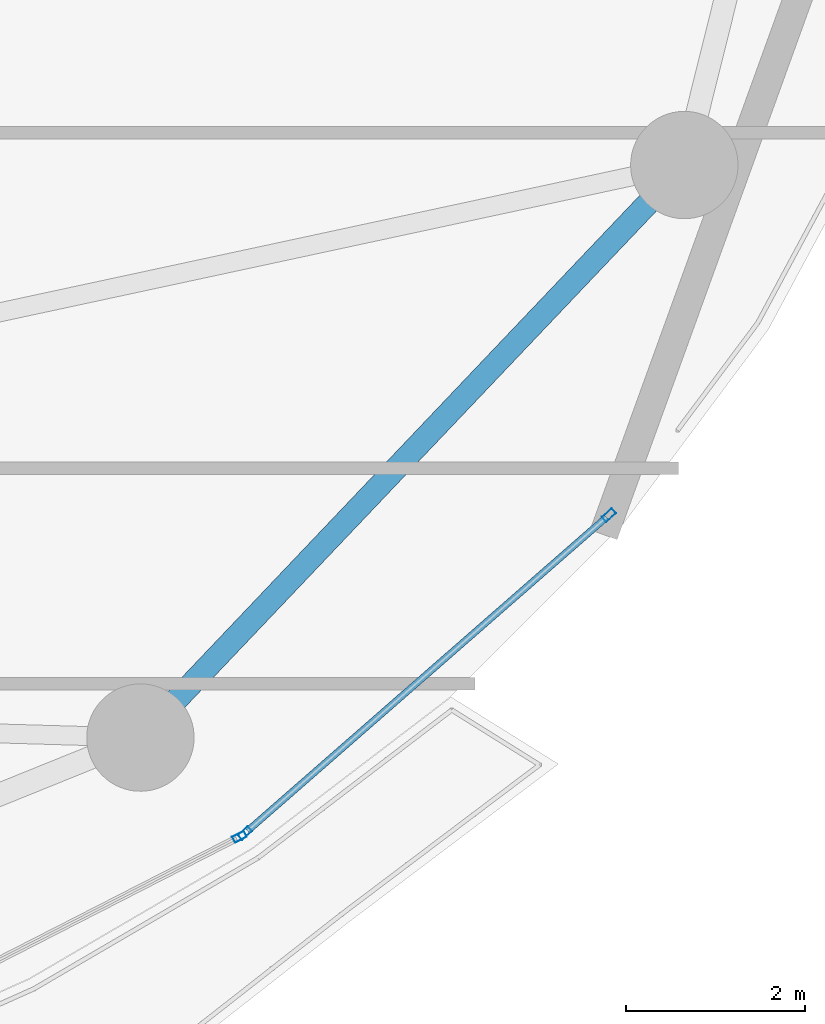
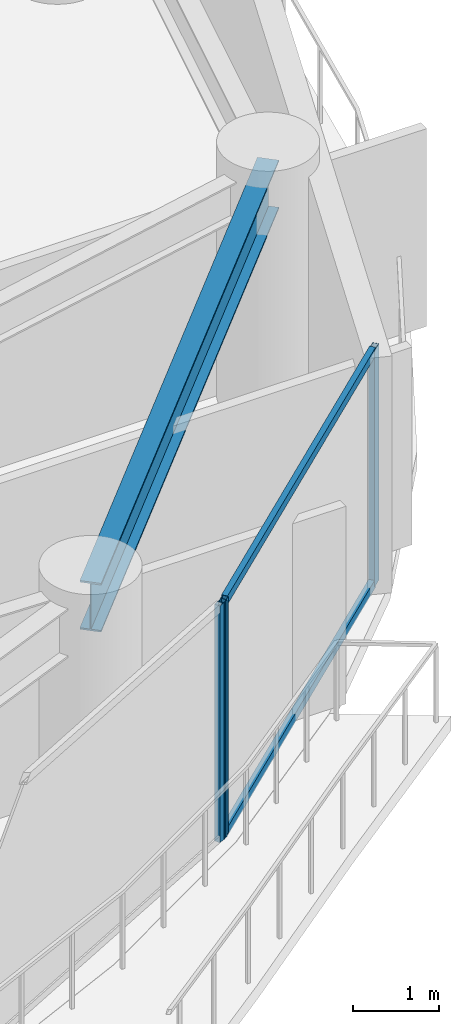
# One storey, part 13 of 28: 5 members, 1 beam, 2 elements without a shape of their own.
"""IFC4 building model written with IfcOpenShell, lengths in metres."""

import ifcopenshell
import ifcopenshell.guid

model = None  # the IFC model being written
_history = None  # IfcOwnerHistory: only IFC2X3 demands one
_inside = {}  # id of a spatial element -> (the spatial element, [elements in it])
_under = {}  # id of a project, library or spatial element -> (it, [spatial elements below it])
_declared = {}  # id of a project -> (the project, [libraries it declares])
_typed = {}  # id of a type object -> (the type object, [elements of that type])
_made_of = {}  # id of a material, layer set ... -> (it, [elements and type objects made of it])


def new_model(schema):
    """Start an empty IFC model of exactly this schema.

    Asked for "IFC4X3", IfcOpenShell would pick the latest addendum, in which some entities
    have other attributes; the version numbers below select the first issue.
    IFC2X3 requires an IfcOwnerHistory on every rooted entity: one is made here for all.
    """
    global model, _history
    if schema == "IFC4X3":
        model = ifcopenshell.file(schema_version=(4, 3, 0, 0))
    else:
        model = ifcopenshell.file(schema=schema)
    _inside.clear()
    _under.clear()
    _declared.clear()
    _typed.clear()
    _made_of.clear()
    _history = None
    if model.schema == "IFC2X3":
        org = make("IfcOrganization", Name="unknown")
        user = make(
            "IfcPersonAndOrganization",
            ThePerson=make("IfcPerson", FamilyName="unknown"),
            TheOrganization=org,
        )
        app = make(
            "IfcApplication",
            ApplicationDeveloper=org,
            Version="unknown",
            ApplicationFullName="unknown",
            ApplicationIdentifier="unknown",
        )
        _history = make(
            "IfcOwnerHistory",
            OwningUser=user,
            OwningApplication=app,
            ChangeAction="ADDED",
            CreationDate=0,
        )
    return model


def make(cls, **values):
    """One entity of the class cls with the attributes given. An attribute that is None is left unset."""
    return model.create_entity(
        cls, **{name: value for name, value in values.items() if value is not None}
    )


def rooted(cls, **values):
    """An entity with a GlobalId (a new one), such as an element, a storey or a relation."""
    return make(cls, GlobalId=ifcopenshell.guid.new(), OwnerHistory=_history, **values)


def si_unit(unit_type, name, prefix=None):
    """IfcSIUnit, for example si_unit("LENGTHUNIT", "METRE", prefix="MILLI")."""
    return make("IfcSIUnit", UnitType=unit_type, Prefix=prefix, Name=name)


def assignment(units):
    """IfcUnitAssignment: the units of a project."""
    return None if units is None else make("IfcUnitAssignment", Units=units)


def point(xyz):
    """IfcCartesianPoint."""
    return None if xyz is None else make("IfcCartesianPoint", Coordinates=xyz)


def direction(xyz):
    """IfcDirection."""
    return None if xyz is None else make("IfcDirection", DirectionRatios=xyz)


def frame(location, z_axis=None, x_axis=None):
    """IfcAxis2Placement3D, a coordinate frame: its origin and axes. An axis left out is left unset."""
    return make(
        "IfcAxis2Placement3D",
        Location=point(location),
        Axis=direction(z_axis),
        RefDirection=direction(x_axis),
    )


def frame_2d(location, x_axis=None):
    """IfcAxis2Placement2D, a coordinate frame in the plane: its origin and x axis."""
    return make(
        "IfcAxis2Placement2D", Location=point(location), RefDirection=direction(x_axis)
    )


def origin():
    """The frame at (0, 0, 0) with its axes left unset."""
    return frame((0.0, 0.0, 0.0))


def origin_2d():
    """The frame at (0, 0) in the plane with its x axis left unset."""
    return frame_2d((0.0, 0.0))


def place(relative_to, where):
    """IfcLocalPlacement: puts the frame where relative to a parent placement (None: the world)."""
    return make(
        "IfcLocalPlacement", PlacementRelTo=relative_to, RelativePlacement=where
    )


def context(
    kind, dimensions, precision=None, world=None, true_north=None, identifier=None
):
    """IfcGeometricRepresentationContext, for example the 3D "Model" context."""
    return make(
        "IfcGeometricRepresentationContext",
        ContextIdentifier=identifier,
        ContextType=kind,
        CoordinateSpaceDimension=dimensions,
        Precision=precision,
        WorldCoordinateSystem=world,
        TrueNorth=true_north,
    )


def subcontext(parent, identifier, kind, view, scale=None):
    """IfcGeometricRepresentationSubContext, for example "Body" below "Model"."""
    return make(
        "IfcGeometricRepresentationSubContext",
        ContextIdentifier=identifier,
        ContextType=kind,
        ParentContext=parent,
        TargetScale=scale,
        TargetView=view,
    )


def project(units=None, contexts=None):
    """IfcProject with its units and contexts."""
    return rooted(
        "IfcProject",
        Name="project",
        RepresentationContexts=contexts,
        UnitsInContext=assignment(units),
    )


def spatial(cls, under=None, at=None, **own):
    """A site, building, storey or space (cls), placed at a placement, below another one or the project."""
    s = rooted(cls, ObjectPlacement=at, **own)
    if under is not None:
        _under.setdefault(under.id(), (under, []))[1].append(s)
    return s


def profile(cls, at=None, kind="AREA", **sizes):
    """A parametric profile (cls). Its sizes go by their IFC names, for example OverallWidth=200.0."""
    return make(cls, ProfileType=kind, Position=at, **sizes)


def hollow_rectangle(**sizes):
    """IfcRectangleHollowProfileDef."""
    return profile("IfcRectangleHollowProfileDef", **sizes)


def i_section(**sizes):
    """IfcIShapeProfileDef."""
    return profile("IfcIShapeProfileDef", **sizes)


def extrude(swept, where, along, depth):
    """IfcExtrudedAreaSolid: the profile swept, set in the frame where, extruded along a direction by depth."""
    return make(
        "IfcExtrudedAreaSolid",
        SweptArea=swept,
        Position=where,
        ExtrudedDirection=direction(along),
        Depth=depth,
    )


def shape(context_of_items, identifier, shape_type, items):
    """IfcShapeRepresentation: the items that make up one representation, for example the "Body"."""
    return make(
        "IfcShapeRepresentation",
        ContextOfItems=context_of_items,
        RepresentationIdentifier=identifier,
        RepresentationType=shape_type,
        Items=items,
    )


def material(Name=None, Category=None):
    """IfcMaterial."""
    return make("IfcMaterial", Name=Name, Category=Category)


def layer(
    of_material, thickness, ventilated=None, Name=None, Category=None, Priority=None
):
    """IfcMaterialLayer: one layer of a wall or slab, of a material (None: an air gap)."""
    return make(
        "IfcMaterialLayer",
        Material=of_material,
        LayerThickness=thickness,
        IsVentilated=ventilated,
        Name=Name,
        Category=Category,
        Priority=Priority,
    )


def layer_set(layers, Name=None):
    """IfcMaterialLayerSet."""
    return make("IfcMaterialLayerSet", MaterialLayers=layers, LayerSetName=Name)


def material_profile(
    of_material, cross_section, Name=None, Category=None, Priority=None
):
    """IfcMaterialProfile: a cross section and its material."""
    return make(
        "IfcMaterialProfile",
        Name=Name,
        Material=of_material,
        Profile=cross_section,
        Priority=Priority,
        Category=Category,
    )


def profile_set(profiles, Name=None, composite=None):
    """IfcMaterialProfileSet."""
    return make(
        "IfcMaterialProfileSet",
        Name=Name,
        MaterialProfiles=profiles,
        CompositeProfile=composite,
    )


def made_of(thing, what):
    """Note that an element or type object is made of a material, layer set ...; save() writes the relation."""
    if what is not None:
        _made_of.setdefault(what.id(), (what, []))[1].append(thing)
    return thing


def type_object(cls, material=None, **own):
    """A type object (cls), such as IfcWallType, which elements share."""
    return made_of(rooted(cls, **own), material)


def element(
    cls,
    number,
    at=None,
    inside=None,
    cuts=None,
    type_object=None,
    material=None,
    context=None,
    identifier="Body",
    shape_type=None,
    held_by="IfcProductDefinitionShape",
    body=None,
    shapes=None,
    **own,
):
    """One element of the class cls, such as IfcWall. Its Tag is "e" and its number.

    at: its placement. inside: the storey or other place that contains it. cuts: it is an
    opening in that element (IfcRelVoidsElement). A single representation is given by context,
    identifier, shape_type and body (its items); several are given by shapes. held_by: the class
    of the entity that holds the representations. save() writes the other relations.
    """
    e = rooted(cls, Tag="e%d" % number, ObjectPlacement=at, **own)
    if body is not None:
        shapes = [shape(context, identifier, shape_type, body)]
    if shapes is not None:
        e.Representation = make(held_by, Representations=shapes)
    if inside is not None:
        _inside.setdefault(inside.id(), (inside, []))[1].append(e)
    if cuts is not None:
        rooted(
            "IfcRelVoidsElement", RelatingBuildingElement=cuts, RelatedOpeningElement=e
        )
    if type_object is not None:
        _typed.setdefault(type_object.id(), (type_object, []))[1].append(e)
    return made_of(e, material)


def aggregate(whole, parts):
    """IfcRelAggregates: a whole, such as a stair, and the parts it consists of."""
    return rooted("IfcRelAggregates", RelatingObject=whole, RelatedObjects=parts)


def save(model, path):
    """Write the relations noted so far, then the file.

    IfcRelAggregates (storeys below a building ...), IfcRelContainedInSpatialStructure (elements
    in a storey), IfcRelDefinesByType, IfcRelAssociatesMaterial and IfcRelDeclares: one each for
    every whole, place, type object, material and project.
    """
    for whole, parts in _under.values():
        aggregate(whole, parts)
    for where, things in _inside.values():
        rooted(
            "IfcRelContainedInSpatialStructure",
            RelatedElements=things,
            RelatingStructure=where,
        )
    for kind, things in _typed.values():
        rooted("IfcRelDefinesByType", RelatedObjects=things, RelatingType=kind)
    for what, things in _made_of.values():
        rooted("IfcRelAssociatesMaterial", RelatedObjects=things, RelatingMaterial=what)
    for by, libraries in _declared.values():
        rooted("IfcRelDeclares", RelatingContext=by, RelatedDefinitions=libraries)
    model.write(path)


model = new_model("IFC4")

# Units and contexts
model_context = context("Model", 3, precision=1e-05, world=origin(), true_north=direction((0.0, 1.0)))
body_context = subcontext(model_context, "Body", "Model", "MODEL_VIEW")
ifc_project = project(units=[si_unit("LENGTHUNIT", "METRE"), si_unit("AREAUNIT", "SQUARE_METRE"), si_unit("VOLUMEUNIT", "CUBIC_METRE"), si_unit("PLANEANGLEUNIT", "RADIAN"), si_unit("MASSUNIT", "GRAM", prefix="KILO")], contexts=[model_context])

# Site, building, storey
site_placement = place(None, origin())
site = spatial("IfcSite", under=ifc_project, at=site_placement, CompositionType="ELEMENT")
building_placement = place(site_placement, origin())
building = spatial("IfcBuilding", under=site, at=building_placement, Name="Kazevale Care Tower and Concert Hall", CompositionType="ELEMENT")
storey_placement = place(building_placement, frame((0.0, 0.0, 138.60009765625)))
storey = spatial("IfcBuildingStorey", under=building, at=storey_placement, Name="L36", CompositionType="ELEMENT", Elevation=138.60009765625)

# Curtain wall, members
ifc_material_1 = material(Name="Aluminium 6063-T6 and Low-E Glass", Category="aluminium")
ifc_layer = layer(ifc_material_1, 0.179931640625)
ifc_layer_set = layer_set([ifc_layer], Name="Aluminium 6063-T6 and Low-E Glass")
curtain_wall_type = type_object("IfcCurtainWallType", Name="Sheltered Concave Balcony Curtain Wall CW-5", PredefinedType="NOTDEFINED", material=ifc_layer_set)
curtain_wall_1_placement = place(storey_placement, origin())
curtain_wall_1 = element("IfcCurtainWall", 1, at=curtain_wall_1_placement, inside=storey, type_object=curtain_wall_type, Name="cw:L36:f02", PredefinedType="NOTDEFINED")
ifc_material_2 = material(Name="Aluminium 6063-T6", Category="aluminium")
ifc_material_profile_1 = material_profile(ifc_material_2, hollow_rectangle(XDim=0.074951171875, YDim=0.14990234375, WallThickness=0.00390625, at=origin_2d()), Name="ALU75x150x4")
ifc_profile_set_1 = profile_set([ifc_material_profile_1], Name="Aluminium 6063-T6")
member_type_1 = type_object("IfcMemberType", Name="CW-5 Mullion ALU75x150x4", PredefinedType="MULLION", material=ifc_profile_set_1)
member_1_placement = place(storey_placement, frame((70.06787109375, 25.477294921875, 0.0), z_axis=(0.0, 0.0, 1.0), x_axis=(0.657948668382, -0.753062779437, 0.0)))
member_1 = element("IfcMember", 2, at=member_1_placement, type_object=member_type_1, Name="CW-5 mullion 1", PredefinedType="MULLION", context=body_context, shape_type="SweptSolid", body=[
    extrude(hollow_rectangle(XDim=0.074951171875, YDim=0.14990234375, WallThickness=0.00390625, at=origin_2d()), origin(), (0.0, 0.0, 1.0), 3.35986328125),
])
member_2_placement = place(storey_placement, frame((65.999267578125, 21.922607421875, 0.0), z_axis=(0.0, 0.0, 1.0), x_axis=(0.657948668382, -0.753062779437, 0.0)))
member_2 = element("IfcMember", 3, at=member_2_placement, type_object=member_type_1, Name="CW-5 mullion 2", PredefinedType="MULLION", context=body_context, shape_type="SweptSolid", body=[
    extrude(hollow_rectangle(XDim=0.074951171875, YDim=0.14990234375, WallThickness=0.00390625, at=origin_2d()), origin(), (0.0, 0.0, 1.0), 3.35986328125),
])

# Curtain wall, member
curtain_wall_2_placement = place(storey_placement, origin())
curtain_wall_2 = element("IfcCurtainWall", 4, at=curtain_wall_2_placement, inside=storey, type_object=curtain_wall_type, Name="cw:L36:f03", PredefinedType="NOTDEFINED")
member_3_placement = place(storey_placement, frame((65.9375, 21.880859375, 0.0), z_axis=(0.0, 0.0, 1.0), x_axis=(0.455713236575, -0.890126646051, 0.0)))
member_3 = element("IfcMember", 5, at=member_3_placement, type_object=member_type_1, Name="CW-5 mullion 1", PredefinedType="MULLION", context=body_context, shape_type="SweptSolid", body=[
    extrude(hollow_rectangle(XDim=0.074951171875, YDim=0.14990234375, WallThickness=0.00390625, at=origin_2d()), origin(), (0.0, 0.0, 1.0), 3.35986328125),
])
aggregate(curtain_wall_2, [member_3])

# Member
ifc_material_profile_2 = material_profile(ifc_material_2, hollow_rectangle(XDim=0.074951171875, YDim=0.1201171875, WallThickness=0.00390625, at=origin_2d()), Name="ALU75x120x4")
ifc_profile_set_2 = profile_set([ifc_material_profile_2], Name="Aluminium 6063-T6")
member_type_2 = type_object("IfcMemberType", Name="CW-5 Transom ALU75x120x4", PredefinedType="USERDEFINED", material=ifc_profile_set_2)
member_4_placement = place(storey_placement, frame((70.03955078125, 25.45263671875, 0.037353515625), z_axis=(-0.753050570644, -0.657962641837, 0.0), x_axis=(0.657962641837, -0.753050570644, 0.0)))
member_4 = element("IfcMember", 6, at=member_4_placement, type_object=member_type_2, Name="CW-5 transom 1.1", ObjectType="TRANSOM", PredefinedType="USERDEFINED", context=body_context, shape_type="SweptSolid", body=[
    extrude(hollow_rectangle(XDim=0.074951171875, YDim=0.1201171875, WallThickness=0.00390625, at=origin_2d()), origin(), (0.0, 0.0, 1.0), 5.32763671875),
])

member_5_placement = place(storey_placement, frame((70.03955078125, 25.45263671875, 3.322509765625), z_axis=(-0.753050570644, -0.657962641837, 0.0), x_axis=(0.657962641837, -0.753050570644, 0.0)))
member_5 = element("IfcMember", 7, at=member_5_placement, type_object=member_type_2, Name="CW-5 transom 1.2", ObjectType="TRANSOM", PredefinedType="USERDEFINED", context=body_context, shape_type="SweptSolid", body=[
    extrude(hollow_rectangle(XDim=0.074951171875, YDim=0.1201171875, WallThickness=0.00390625, at=origin_2d()), origin(), (0.0, 0.0, 1.0), 5.32763671875),
])

aggregate(curtain_wall_1, [member_1, member_2, member_4, member_5])

# Beam
ifc_material_3 = material(Name="Steel ASTM A572 Gr 50", Category="steel")
ifc_material_profile_3 = material_profile(ifc_material_3, i_section(OverallWidth=0.256103515625, OverallDepth=0.693115234375, WebThickness=0.014404296875, FlangeThickness=0.023681640625, at=origin_2d()), Name="W690x170")
ifc_profile_set_3 = profile_set([ifc_material_profile_3], Name="Steel ASTM A572 Gr 50")
beam_type = type_object("IfcBeamType", Name="Waist Ring Beam W690x170", PredefinedType="BEAM", material=ifc_profile_set_3)
beam_placement = place(storey_placement, frame((64.830078125, 22.989990234375, 3.013427734375), z_axis=(0.688745100728, 0.725003576697, 0.0), x_axis=(-0.725003576697, 0.688745100728, 0.0)))
element("IfcBeam", 8, at=beam_placement, inside=storey, type_object=beam_type, Name="beam:L36:ring:15", PredefinedType="BEAM", context=body_context, shape_type="SweptSolid", body=[
    extrude(i_section(OverallWidth=0.256103515625, OverallDepth=0.693115234375, WebThickness=0.014404296875, FlangeThickness=0.023681640625, at=origin_2d()), origin(), (0.0, 0.0, 1.0), 8.827392578125),
])

save(model, "model.ifc")
